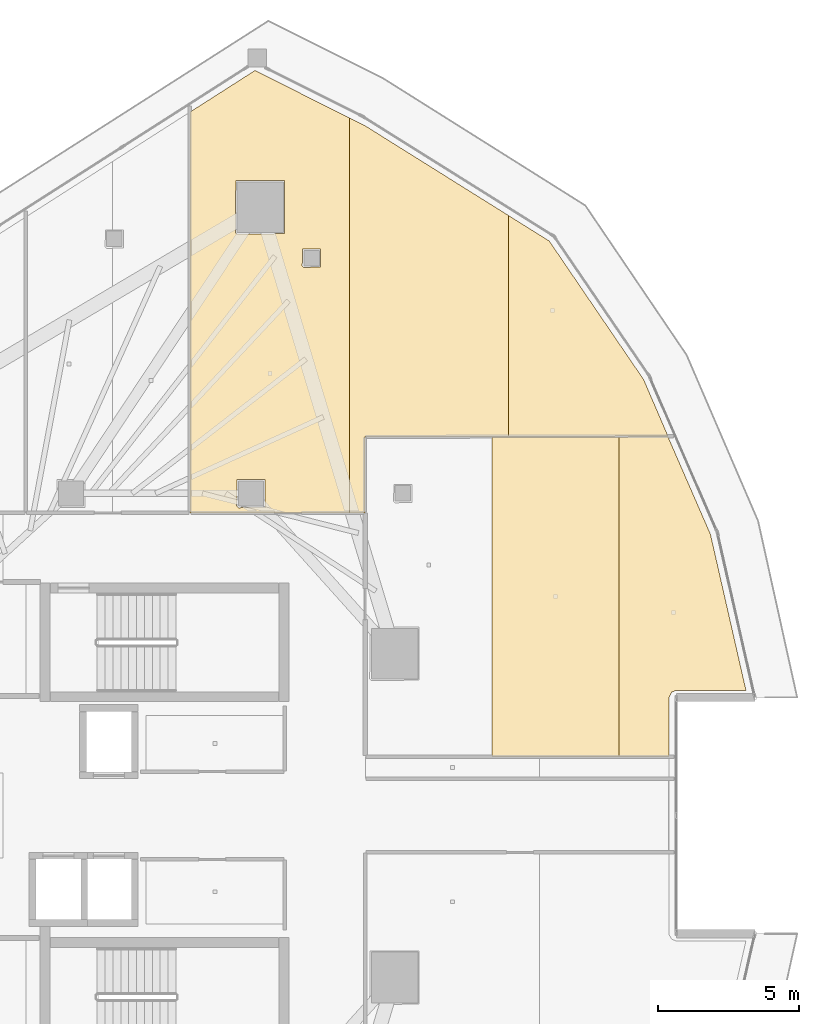
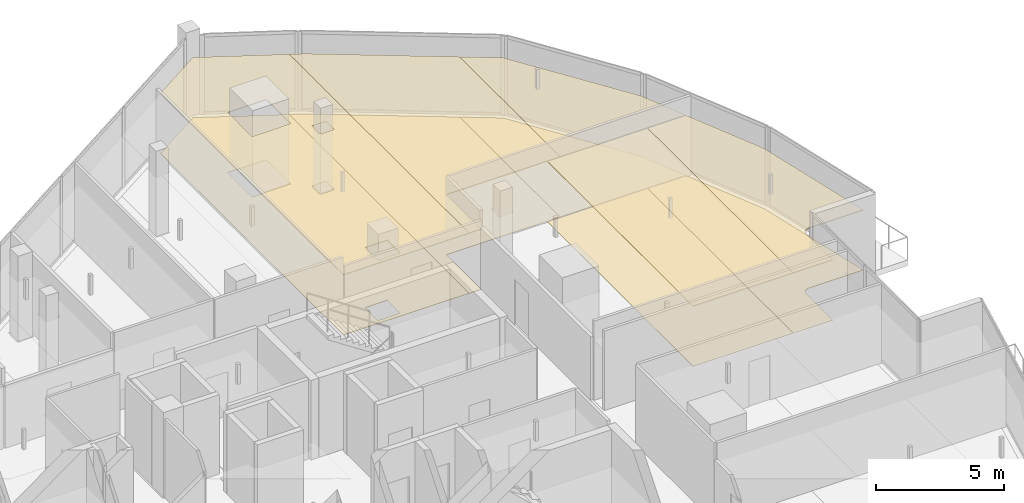
# One storey, part 36 of 36: 10 coverings.
"""IFC4 building model written with IfcOpenShell, lengths in metres."""

from ifc_helpers import new_model, si_unit, direction, frame, origin, place, context, subcontext, project, spatial, polyline, outline, extrude, material, layer, layer_set, type_object, element, save


model = new_model("IFC4")

# Units and contexts
model_context = context("Model", 3, precision=1e-05, world=origin(), true_north=direction((0.0, 1.0)))
body_context = subcontext(model_context, "Body", "Model", "MODEL_VIEW")
ifc_project = project(units=[si_unit("LENGTHUNIT", "METRE"), si_unit("AREAUNIT", "SQUARE_METRE"), si_unit("VOLUMEUNIT", "CUBIC_METRE"), si_unit("PLANEANGLEUNIT", "RADIAN"), si_unit("MASSUNIT", "GRAM", prefix="KILO")], contexts=[model_context])

# Site, building, storey
site_placement = place(None, origin())
site = spatial("IfcSite", under=ifc_project, at=site_placement, CompositionType="ELEMENT")
building_placement = place(site_placement, origin())
building = spatial("IfcBuilding", under=site, at=building_placement, Name="Qorvath Tower", CompositionType="ELEMENT")
storey_placement = place(building_placement, frame((0.0, 0.0, 229.35009765625)))
storey = spatial("IfcBuildingStorey", under=building, at=storey_placement, Name="L53", CompositionType="ELEMENT", Elevation=229.35009765625)

# Coverings
ifc_material_1 = material(Name="Acoustic mineral fibre ceiling tile", Category="gypsum")
ifc_layer_1 = layer(ifc_material_1, 0.030029296875)
ifc_layer_set_1 = layer_set([ifc_layer_1], Name="COV-CEIL")
covering_type_1 = type_object("IfcCoveringType", Name="COV-CEIL", PredefinedType="CEILING", material=ifc_layer_set_1)
covering_1_placement = place(storey_placement, frame((0.0, 0.0, 2.849853515625)))
element("IfcCovering", 1, at=covering_1_placement, inside=storey, type_object=covering_type_1, Name="L53 Suspended Acoustic Ceiling 016", PredefinedType="CEILING", context=body_context, shape_type="SweptSolid", body=[
    extrude(outline(polyline([(-13.7001953125, 10.762939453125), (-13.7001953125, 24.79736328125), (-17.0595703125, 26.482177734375), (-19.361083984375, 25.01123046875), (-19.361083984375, 10.762939453125), (-13.7001953125, 10.762939453125)]), holes=[polyline([(-15.381103515625, 19.543212890625), (-15.363525390625, 20.135498046875), (-14.728759765625, 20.135498046875), (-14.728759765625, 19.500732421875), (-15.321044921875, 19.483154296875), (-15.381103515625, 19.543212890625)]), polyline([(-17.756591796875, 20.72705078125), (-17.739013671875, 22.569580078125), (-16.00439453125, 22.569580078125), (-16.00439453125, 20.6845703125), (-17.69677734375, 20.6669921875), (-17.756591796875, 20.72705078125)]), polyline([(-17.7099609375, 11.0), (-17.6923828125, 11.9423828125), (-16.70751953125, 11.9423828125), (-16.70751953125, 10.95751953125), (-17.64990234375, 10.93994140625), (-17.7099609375, 11.0)])]), origin(), (0.0, 0.0, 1.0), 0.030029296875),
])
covering_2_placement = place(storey_placement, frame((0.0, 0.0, 2.849853515625)))
element("IfcCovering", 2, at=covering_2_placement, inside=storey, type_object=covering_type_1, Name="L53 Suspended Acoustic Ceiling 017", PredefinedType="CEILING", context=body_context, shape_type="SweptSolid", body=[
    extrude(outline(polyline([(-8.039306640625, 13.480224609375), (-8.039306640625, 21.3232421875), (-13.141845703125, 24.517333984375), (-13.7001953125, 24.79736328125), (-13.7001953125, 10.762939453125), (-13.155029296875, 10.762939453125), (-13.14990234375, 13.476806640625), (-8.039306640625, 13.480224609375)])), origin(), (0.0, 0.0, 1.0), 0.030029296875),
])
covering_3_placement = place(storey_placement, frame((0.0, 0.0, 2.849853515625)))
element("IfcCovering", 3, at=covering_3_placement, inside=storey, type_object=covering_type_1, Name="L53 Suspended Acoustic Ceiling 018", PredefinedType="CEILING", context=body_context, shape_type="SweptSolid", body=[
    extrude(outline(polyline([(-6.598876953125, 20.421630859375), (-8.039306640625, 21.3232421875), (-8.039306640625, 13.480224609375), (-2.37841796875, 13.484130859375), (-3.24267578125, 15.494873046875), (-6.598876953125, 20.421630859375)])), origin(), (0.0, 0.0, 1.0), 0.030029296875),
])
covering_4_placement = place(storey_placement, frame((0.0, 0.0, 2.849853515625)))
element("IfcCovering", 4, at=covering_4_placement, inside=storey, type_object=covering_type_1, Name="L53 Suspended Acoustic Ceiling 035", PredefinedType="CEILING", context=body_context, shape_type="SweptSolid", body=[
    extrude(outline(polyline([(-4.116943359375, 2.1083984375), (-4.116943359375, 13.46484375), (-8.626953125, 13.4619140625), (-8.626953125, 2.1083984375), (-4.116943359375, 2.1083984375)])), origin(), (0.0, 0.0, 1.0), 0.030029296875),
])
covering_5_placement = place(storey_placement, frame((0.0, 0.0, 2.849853515625)))
element("IfcCovering", 5, at=covering_5_placement, inside=storey, type_object=covering_type_1, Name="L53 Suspended Acoustic Ceiling 036", PredefinedType="CEILING", context=body_context, shape_type="SweptSolid", body=[
    extrude(outline(polyline([(-2.086181640625, 4.450439453125), (0.39306640625, 4.45068359375), (-0.86962890625, 9.998291015625), (-2.380615234375, 13.466064453125), (-4.116943359375, 13.46484375), (-4.116943359375, 2.1083984375), (-2.339599609375, 2.1083984375), (-2.339599609375, 4.19580078125), (-2.24755859375, 4.39111328125), (-2.086181640625, 4.450439453125)])), origin(), (0.0, 0.0, 1.0), 0.030029296875),
])
ifc_material_2 = material(Name="Low-VOC modular carpet tile", Category="textile")
ifc_layer_2 = layer(ifc_material_2, 0.014892578125)
ifc_layer_set_2 = layer_set([ifc_layer_2], Name="COV-FLOOR-CPT")
covering_type_2 = type_object("IfcCoveringType", Name="COV-FLOOR-CPT", PredefinedType="FLOORING", material=ifc_layer_set_2)
covering_6_placement = place(storey_placement, origin())
element("IfcCovering", 6, at=covering_6_placement, inside=storey, type_object=covering_type_2, Name="L53 Floor Finish 016", PredefinedType="FLOORING", context=body_context, shape_type="SweptSolid", body=[
    extrude(outline(polyline([(-13.7001953125, 10.762939453125), (-13.7001953125, 24.79736328125), (-17.0595703125, 26.482177734375), (-19.361083984375, 25.01123046875), (-19.361083984375, 10.762939453125), (-13.7001953125, 10.762939453125)]), holes=[polyline([(-15.381103515625, 19.543212890625), (-15.363525390625, 20.135498046875), (-14.728759765625, 20.135498046875), (-14.728759765625, 19.500732421875), (-15.321044921875, 19.483154296875), (-15.381103515625, 19.543212890625)]), polyline([(-17.756591796875, 20.72705078125), (-17.739013671875, 22.569580078125), (-16.00439453125, 22.569580078125), (-16.00439453125, 20.6845703125), (-17.69677734375, 20.6669921875), (-17.756591796875, 20.72705078125)]), polyline([(-17.7099609375, 11.0), (-17.6923828125, 11.9423828125), (-16.70751953125, 11.9423828125), (-16.70751953125, 10.95751953125), (-17.64990234375, 10.93994140625), (-17.7099609375, 11.0)])]), origin(), (0.0, 0.0, 1.0), 0.014892578125),
])
covering_7_placement = place(storey_placement, origin())
element("IfcCovering", 7, at=covering_7_placement, inside=storey, type_object=covering_type_2, Name="L53 Floor Finish 017", PredefinedType="FLOORING", context=body_context, shape_type="SweptSolid", body=[
    extrude(outline(polyline([(-8.039306640625, 13.480224609375), (-8.039306640625, 21.3232421875), (-13.141845703125, 24.517333984375), (-13.7001953125, 24.79736328125), (-13.7001953125, 10.762939453125), (-13.155029296875, 10.762939453125), (-13.14990234375, 13.476806640625), (-8.039306640625, 13.480224609375)])), origin(), (0.0, 0.0, 1.0), 0.014892578125),
])
covering_8_placement = place(storey_placement, origin())
element("IfcCovering", 8, at=covering_8_placement, inside=storey, type_object=covering_type_2, Name="L53 Floor Finish 018", PredefinedType="FLOORING", context=body_context, shape_type="SweptSolid", body=[
    extrude(outline(polyline([(-6.598876953125, 20.421630859375), (-8.039306640625, 21.3232421875), (-8.039306640625, 13.480224609375), (-2.37841796875, 13.484130859375), (-3.24267578125, 15.494873046875), (-6.598876953125, 20.421630859375)])), origin(), (0.0, 0.0, 1.0), 0.014892578125),
])
covering_9_placement = place(storey_placement, origin())
element("IfcCovering", 9, at=covering_9_placement, inside=storey, type_object=covering_type_2, Name="L53 Floor Finish 035", PredefinedType="FLOORING", context=body_context, shape_type="SweptSolid", body=[
    extrude(outline(polyline([(-4.116943359375, 2.1083984375), (-4.116943359375, 13.46484375), (-8.626953125, 13.4619140625), (-8.626953125, 2.1083984375), (-4.116943359375, 2.1083984375)])), origin(), (0.0, 0.0, 1.0), 0.014892578125),
])
covering_10_placement = place(storey_placement, origin())
element("IfcCovering", 10, at=covering_10_placement, inside=storey, type_object=covering_type_2, Name="L53 Floor Finish 036", PredefinedType="FLOORING", context=body_context, shape_type="SweptSolid", body=[
    extrude(outline(polyline([(-2.086181640625, 4.450439453125), (0.39306640625, 4.45068359375), (-0.86962890625, 9.998291015625), (-2.380615234375, 13.466064453125), (-4.116943359375, 13.46484375), (-4.116943359375, 2.1083984375), (-2.339599609375, 2.1083984375), (-2.339599609375, 4.19580078125), (-2.24755859375, 4.39111328125), (-2.086181640625, 4.450439453125)])), origin(), (0.0, 0.0, 1.0), 0.014892578125),
])

save(model, "model.ifc")
